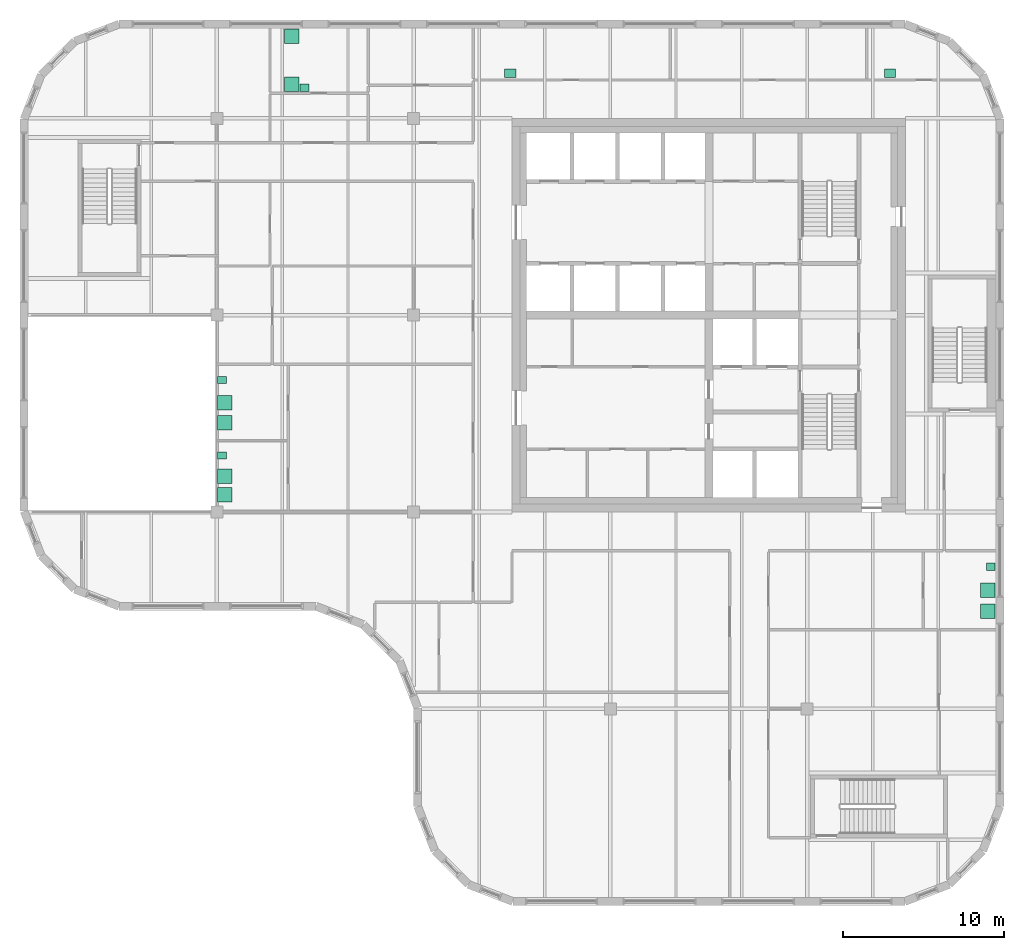
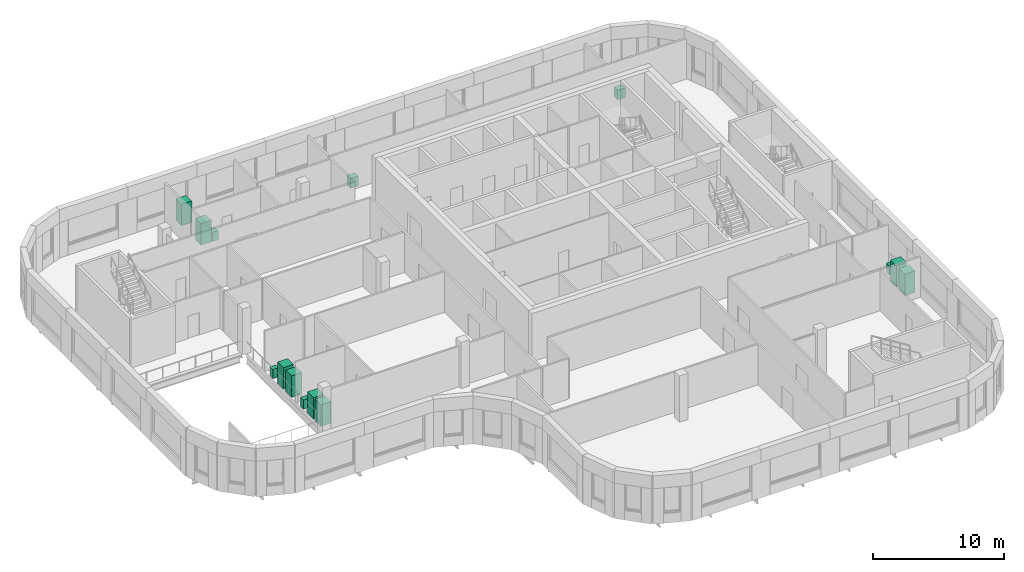
# One storey, part 21 of 21: 14 sanitary terminals.
"""IFC4 building model written with IfcOpenShell, lengths in metres."""

from ifc_helpers import new_model, si_unit, direction, frame, origin, origin_2d, place, context, subcontext, project, spatial, rectangle, extrude, material, type_object, element, save


model = new_model("IFC4")

# Units and contexts
model_context = context("Model", 3, precision=1e-05, world=origin(), true_north=direction((0.0, 1.0)))
body_context = subcontext(model_context, "Body", "Model", "MODEL_VIEW")
ifc_project = project(units=[si_unit("LENGTHUNIT", "METRE"), si_unit("AREAUNIT", "SQUARE_METRE"), si_unit("VOLUMEUNIT", "CUBIC_METRE"), si_unit("PLANEANGLEUNIT", "RADIAN"), si_unit("MASSUNIT", "GRAM", prefix="KILO")], contexts=[model_context])

# Site, building, storey
site_placement = place(None, origin())
site = spatial("IfcSite", under=ifc_project, at=site_placement, CompositionType="ELEMENT")
building_placement = place(site_placement, origin())
building = spatial("IfcBuilding", under=site, at=building_placement, Name="Tessera Gate Towers", CompositionType="ELEMENT")
storey_placement = place(building_placement, frame((0.0, 0.0, 193.39990234375)))
storey = spatial("IfcBuildingStorey", under=building, at=storey_placement, Name="L48", CompositionType="ELEMENT", Elevation=193.39990234375)

# Sanitary terminals
ifc_material_1 = material(Name="Vitreous china")
sanitary_terminal_type_1 = type_object("IfcSanitaryTerminalType", Name="BASIN 550x450", PredefinedType="WASHHANDBASIN", material=ifc_material_1)
for number, where, z_axis, x_axis, name in (
    (1, (17.64208984375, 50.699951171875, 0.0), (0.0, 0.0, 1.0), (1.0, 0.0, 0.0), "Basin"),
    (2, (12.52490234375, 27.89990234375, 0.0), (0.0, 0.0, 1.0), (1.0, 0.0, 0.0), "Basin"),
    (3, (12.52490234375, 32.577880859375, 0.0), (0.0, 0.0, 1.0), (1.0, 0.0, 0.0), "Basin"),
    (4, (60.175048828125, 21.0, 0.0), (0.0, 0.0, 1.0), (1.0, 0.0, 0.0), "Basin"),
):
    element("IfcSanitaryTerminal", number, at=place(storey_placement, frame(where, z_axis=z_axis, x_axis=x_axis)), inside=storey, type_object=sanitary_terminal_type_1, Name=name, PredefinedType="WASHHANDBASIN", context=body_context, shape_type="SweptSolid", body=[
        extrude(rectangle(XDim=0.550048828125, YDim=0.449951171875, at=origin_2d()), origin(), (0.0, 0.0, 1.0), 0.85009765625),
    ])
ifc_material_2 = material(Name="Vitreous china")
sanitary_terminal_type_2 = type_object("IfcSanitaryTerminalType", Name="SHOWER 900x900", PredefinedType="SHOWER", material=ifc_material_2)
for number, where, z_axis, x_axis, name in (
    (5, (16.85009765625, 50.925048828125, 0.0), (0.0, 0.0, 1.0), (1.0, 0.0, 0.0), "Shower"),
    (6, (16.85009765625, 53.89990234375, 0.0), (0.0, 0.0, 1.0), (1.0, 0.0, 0.0), "Shower"),
    (7, (12.699951171875, 25.469970703125, 0.0), (0.0, 0.0, 1.0), (1.0, 0.0, 0.0), "Shower"),
    (8, (12.699951171875, 26.610107421875, 0.0), (0.0, 0.0, 1.0), (1.0, 0.0, 0.0), "Shower"),
    (9, (12.699951171875, 29.94189453125, 0.0), (0.0, 0.0, 1.0), (1.0, 0.0, 0.0), "Shower"),
    (10, (12.699951171875, 31.18505859375, 0.0), (0.0, 0.0, 1.0), (1.0, 0.0, 0.0), "Shower"),
    (11, (60.0, 18.25, 0.0), (0.0, 0.0, 1.0), (1.0, 0.0, 0.0), "Shower"),
    (12, (60.0, 19.550048828125, 0.0), (0.0, 0.0, 1.0), (1.0, 0.0, 0.0), "Shower"),
):
    element("IfcSanitaryTerminal", number, at=place(storey_placement, frame(where, z_axis=z_axis, x_axis=x_axis)), inside=storey, type_object=sanitary_terminal_type_2, Name=name, PredefinedType="SHOWER", context=body_context, shape_type="SweptSolid", body=[
        extrude(rectangle(XDim=0.89990234375, YDim=0.89990234375, at=origin_2d()), origin(), (0.0, 0.0, 1.0), 2.0),
    ])
ifc_material_3 = material(Name="Vitreous china")
sanitary_terminal_type_3 = type_object("IfcSanitaryTerminalType", Name="SINK 700x550", PredefinedType="SINK", material=ifc_material_3)
for number, where, z_axis, x_axis, name in (
    (13, (30.39990234375, 51.60009765625, 0.000244140625), (0.0, 0.0, 1.0), (1.0, 0.0, 0.0), "Sink"),
    (14, (53.93505859375, 51.60009765625, 0.000244140625), (0.0, 0.0, 1.0), (1.0, 0.0, 0.0), "Sink"),
):
    element("IfcSanitaryTerminal", number, at=place(storey_placement, frame(where, z_axis=z_axis, x_axis=x_axis)), inside=storey, type_object=sanitary_terminal_type_3, Name=name, PredefinedType="SINK", context=body_context, shape_type="SweptSolid", body=[
        extrude(rectangle(XDim=0.699951171875, YDim=0.550048828125, at=origin_2d()), origin(), (0.0, 0.0, 1.0), 0.89990234375),
    ])

save(model, "model.ifc")
